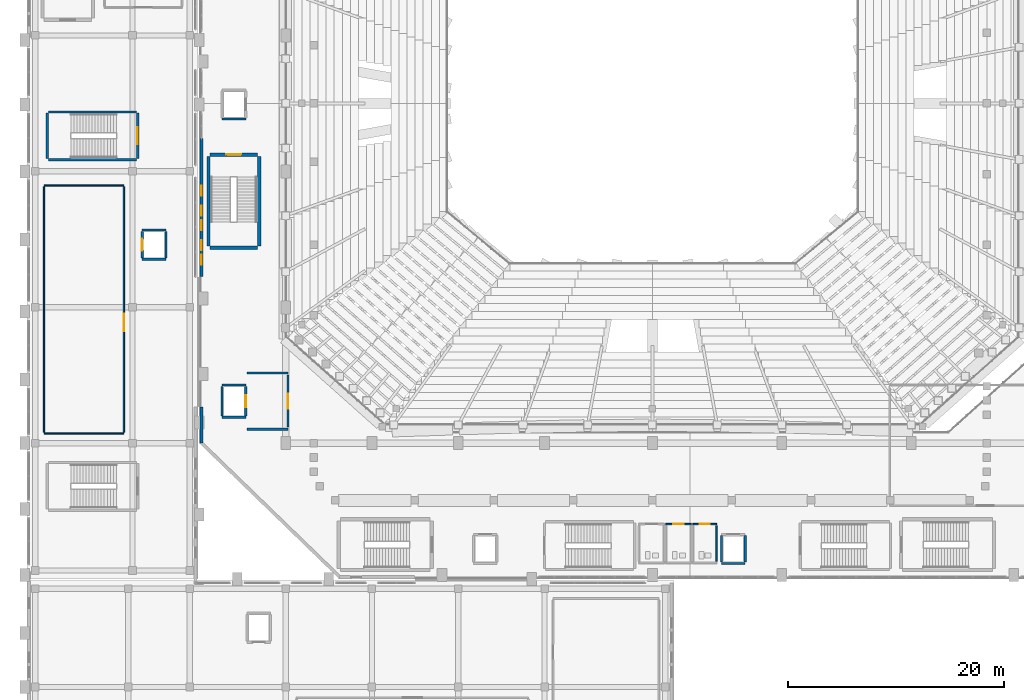
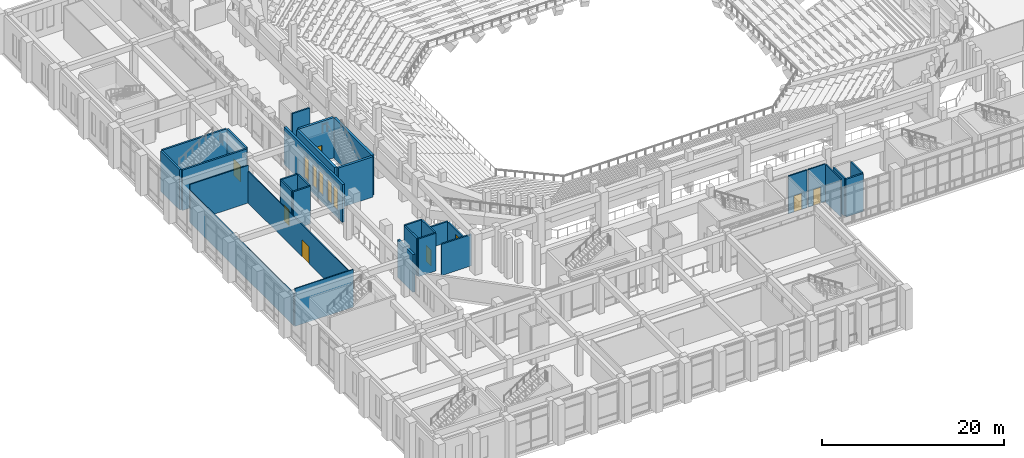
# One storey, part 126 of 159: 32 walls, 8 doors, 5 windows, 13 openings.
"""IFC4 building model written with IfcOpenShell, lengths in metres."""

from ifc_helpers import new_model, si_unit, derived_unit, direction, frame, frame_2d, origin, place, context, subcontext, project, spatial, rectangle, extrude, material, layer, layer_set, type_object, element, fill, save


model = new_model("IFC4")

# Units and contexts
model_context = context("Model", 3, precision=1e-05, world=origin(), true_north=direction((0.0, 1.0)))
body_context = subcontext(model_context, "Body", "Model", "MODEL_VIEW")
ifc_project = project(units=[si_unit("LENGTHUNIT", "METRE"), si_unit("AREAUNIT", "SQUARE_METRE"), si_unit("VOLUMEUNIT", "CUBIC_METRE"), si_unit("PLANEANGLEUNIT", "RADIAN"), si_unit("MASSUNIT", "GRAM", prefix="KILO"), derived_unit("THERMALTRANSMITTANCEUNIT", [(si_unit("MASSUNIT", "GRAM", prefix="KILO"), 1), (si_unit("TIMEUNIT", "SECOND"), -3), (si_unit("THERMODYNAMICTEMPERATUREUNIT", "KELVIN"), -1)])], contexts=[model_context])

# Site, building, storey
site_placement = place(None, origin())
site = spatial("IfcSite", under=ifc_project, at=site_placement, CompositionType="ELEMENT")
building_placement = place(site_placement, origin())
building = spatial("IfcBuilding", under=site, at=building_placement, Name="Valcora Ridge Arena", CompositionType="ELEMENT")
storey_placement = place(building_placement, frame((0.0, 0.0, 6.0)))
storey = spatial("IfcBuildingStorey", under=building, at=storey_placement, Name="L01", CompositionType="ELEMENT", Elevation=6.0)

# Wall
ifc_material_1 = material(Name="Bush-hammered Andean travertine on concrete backup C40/50", Category="masonry")
ifc_layer_1 = layer(ifc_material_1, 0.280029296875, Name="Bush-hammered Andean travertine on concrete backup C40/50")
ifc_layer_set_1 = layer_set([ifc_layer_1], Name="Bush-hammered Andean travertine on concrete backup C40/50")
wall_type_1 = type_object("IfcWallType", Name="TY-WALL-EW-TRV-28-50", PredefinedType="STANDARD", material=ifc_layer_set_1)
wall_1_placement = place(storey_placement, frame((16.199951171875, 32.60009765625, 0.0), z_axis=(0.0, 0.0, 1.0), x_axis=(0.0, 1.0, 0.0)))
element("IfcWall", 1, at=wall_1_placement, inside=storey, type_object=wall_type_1, Name="EW-TRV-28-50 WAL-EW-0038", PredefinedType="STANDARD", context=body_context, shape_type="SweptSolid", body=[
    extrude(rectangle(XDim=3.349853515625, YDim=0.280029296875, at=frame_2d((1.6748046875, 0.0))), origin(), (0.0, 0.0, 1.0), 5.0400390625),
])

# Wall, openings, windows
wall_2_placement = place(storey_placement, frame((16.199951171875, 48.050048828125, 0.0), z_axis=(0.0, 0.0, 1.0), x_axis=(0.0, 1.0, 0.0)))
wall_2 = element("IfcWall", 2, at=wall_2_placement, inside=storey, type_object=wall_type_1, Name="EW-TRV-28-50 WAL-EW-0039", PredefinedType="STANDARD", context=body_context, shape_type="SweptSolid", body=[
    extrude(rectangle(XDim=12.800048828125, YDim=0.280029296875, at=frame_2d((6.39990234375, 0.0))), origin(), (0.0, 0.0, 1.0), 5.0400390625),
])
opening_1_placement = place(wall_2_placement, frame((1.10009765625, 0.0, 0.949951171875)))
opening_1 = element("IfcOpeningElement", 3, at=opening_1_placement, cuts=wall_2, Name="Opening W-GLAN-90X285", PredefinedType="OPENING", context=body_context, shape_type="SweptSolid", body=[
    extrude(rectangle(XDim=0.89990234375, YDim=2.85009765625, at=frame_2d((0.449951171875, 1.425048828125))), frame((0.0, 0.14990234375, 0.0), z_axis=(0.0, -1.0, 0.0), x_axis=(1.0, 0.0, 0.0)), (0.0, 0.0, 1.0), 0.300048828125),
])
opening_2_placement = place(wall_2_placement, frame((2.449951171875, 0.0, 0.949951171875)))
opening_2 = element("IfcOpeningElement", 4, at=opening_2_placement, cuts=wall_2, Name="Opening W-GLAN-90X285", PredefinedType="OPENING", context=body_context, shape_type="SweptSolid", body=[
    extrude(rectangle(XDim=0.89990234375, YDim=2.85009765625, at=frame_2d((0.449951171875, 1.425048828125))), frame((0.0, 0.14990234375, 0.0), z_axis=(0.0, -1.0, 0.0), x_axis=(1.0, 0.0, 0.0)), (0.0, 0.0, 1.0), 0.300048828125),
])
opening_3_placement = place(wall_2_placement, frame((4.300048828125, 0.0, 0.949951171875)))
opening_3 = element("IfcOpeningElement", 5, at=opening_3_placement, cuts=wall_2, Name="Opening W-GLAN-90X285", PredefinedType="OPENING", context=body_context, shape_type="SweptSolid", body=[
    extrude(rectangle(XDim=0.89990234375, YDim=2.85009765625, at=frame_2d((0.449951171875, 1.425048828125))), frame((0.0, 0.14990234375, 0.0), z_axis=(0.0, -1.0, 0.0), x_axis=(1.0, 0.0, 0.0)), (0.0, 0.0, 1.0), 0.300048828125),
])
opening_4_placement = place(wall_2_placement, frame((5.64990234375, 0.0, 0.949951171875)))
opening_4 = element("IfcOpeningElement", 6, at=opening_4_placement, cuts=wall_2, Name="Opening W-GLAN-90X285", PredefinedType="OPENING", context=body_context, shape_type="SweptSolid", body=[
    extrude(rectangle(XDim=0.89990234375, YDim=2.85009765625, at=frame_2d((0.449951171875, 1.425048828125))), frame((0.0, 0.14990234375, 0.0), z_axis=(0.0, -1.0, 0.0), x_axis=(1.0, 0.0, 0.0)), (0.0, 0.0, 1.0), 0.300048828125),
])
opening_5_placement = place(wall_2_placement, frame((7.5, 0.0, 0.949951171875)))
opening_5 = element("IfcOpeningElement", 7, at=opening_5_placement, cuts=wall_2, Name="Opening W-GLAN-90X285", PredefinedType="OPENING", context=body_context, shape_type="SweptSolid", body=[
    extrude(rectangle(XDim=0.89990234375, YDim=2.85009765625, at=frame_2d((0.449951171875, 1.425048828125))), frame((0.0, 0.14990234375, 0.0), z_axis=(0.0, -1.0, 0.0), x_axis=(1.0, 0.0, 0.0)), (0.0, 0.0, 1.0), 0.300048828125),
])
ifc_material_2 = material(Name="Low-iron solar-control double glazing SHGC 0.28", Category="glass")
window_type = type_object("IfcWindowType", Name="TY-WINDOW-W-GLAN-90X285", PartitioningType="DOUBLE_PANEL_VERTICAL", PredefinedType="WINDOW", material=ifc_material_2)
window_1_placement = place(opening_1_placement, origin())
window_1 = element("IfcWindow", 8, at=window_1_placement, inside=storey, type_object=window_type, Name="W-GLAN-90X285 WIN-EX-0083", OverallHeight=2.85009765625, OverallWidth=0.89990234375, PartitioningType="DOUBLE_PANEL_VERTICAL", PredefinedType="WINDOW", context=body_context, shape_type="SweptSolid", body=[
    extrude(rectangle(XDim=0.89990234375, YDim=2.85009765625, at=frame_2d((0.449951171875, 1.425048828125))), frame((0.0, 0.030029296875, 0.0), z_axis=(0.0, -1.0, 0.0), x_axis=(1.0, 0.0, 0.0)), (0.0, 0.0, 1.0), 0.06005859375),
])
fill(opening_1, window_1)
window_2_placement = place(opening_2_placement, origin())
window_2 = element("IfcWindow", 9, at=window_2_placement, inside=storey, type_object=window_type, Name="W-GLAN-90X285 WIN-EX-0084", OverallHeight=2.85009765625, OverallWidth=0.89990234375, PartitioningType="DOUBLE_PANEL_VERTICAL", PredefinedType="WINDOW", context=body_context, shape_type="SweptSolid", body=[
    extrude(rectangle(XDim=0.89990234375, YDim=2.85009765625, at=frame_2d((0.449951171875, 1.425048828125))), frame((0.0, 0.030029296875, 0.0), z_axis=(0.0, -1.0, 0.0), x_axis=(1.0, 0.0, 0.0)), (0.0, 0.0, 1.0), 0.06005859375),
])
fill(opening_2, window_2)
window_3_placement = place(opening_3_placement, origin())
window_3 = element("IfcWindow", 10, at=window_3_placement, inside=storey, type_object=window_type, Name="W-GLAN-90X285 WIN-EX-0085", OverallHeight=2.85009765625, OverallWidth=0.89990234375, PartitioningType="DOUBLE_PANEL_VERTICAL", PredefinedType="WINDOW", context=body_context, shape_type="SweptSolid", body=[
    extrude(rectangle(XDim=0.89990234375, YDim=2.85009765625, at=frame_2d((0.449951171875, 1.425048828125))), frame((0.0, 0.030029296875, 0.0), z_axis=(0.0, -1.0, 0.0), x_axis=(1.0, 0.0, 0.0)), (0.0, 0.0, 1.0), 0.06005859375),
])
fill(opening_3, window_3)
window_4_placement = place(opening_4_placement, origin())
window_4 = element("IfcWindow", 11, at=window_4_placement, inside=storey, type_object=window_type, Name="W-GLAN-90X285 WIN-EX-0086", OverallHeight=2.85009765625, OverallWidth=0.89990234375, PartitioningType="DOUBLE_PANEL_VERTICAL", PredefinedType="WINDOW", context=body_context, shape_type="SweptSolid", body=[
    extrude(rectangle(XDim=0.89990234375, YDim=2.85009765625, at=frame_2d((0.449951171875, 1.425048828125))), frame((0.0, 0.030029296875, 0.0), z_axis=(0.0, -1.0, 0.0), x_axis=(1.0, 0.0, 0.0)), (0.0, 0.0, 1.0), 0.06005859375),
])
fill(opening_4, window_4)
window_5_placement = place(opening_5_placement, origin())
window_5 = element("IfcWindow", 12, at=window_5_placement, inside=storey, type_object=window_type, Name="W-GLAN-90X285 WIN-EX-0087", OverallHeight=2.85009765625, OverallWidth=0.89990234375, PartitioningType="DOUBLE_PANEL_VERTICAL", PredefinedType="WINDOW", context=body_context, shape_type="SweptSolid", body=[
    extrude(rectangle(XDim=0.89990234375, YDim=2.85009765625, at=frame_2d((0.449951171875, 1.425048828125))), frame((0.0, 0.030029296875, 0.0), z_axis=(0.0, -1.0, 0.0), x_axis=(1.0, 0.0, 0.0)), (0.0, 0.0, 1.0), 0.06005859375),
])
fill(opening_5, window_5)

# Wall, opening, door
ifc_material_3 = material(Name="Fire-rated masonry-core compartment wall C35/45 150 mm", Category="masonry")
ifc_layer_2 = layer(ifc_material_3, 0.14990234375, Name="Fire-rated masonry-core compartment wall C35/45 150 mm")
ifc_layer_set_2 = layer_set([ifc_layer_2], Name="Fire-rated masonry-core compartment wall C35/45 150 mm")
wall_type_2 = type_object("IfcWallType", Name="TY-WALL-IW-COMP-150", PredefinedType="STANDARD", material=ifc_layer_set_2)
wall_3_placement = place(storey_placement, frame((59.25, 25.10009765625, 0.0), z_axis=(0.0, 0.0, 1.0), x_axis=(1.0, 0.0, 0.0)))
wall_3 = element("IfcWall", 13, at=wall_3_placement, inside=storey, type_object=wall_type_2, Name="IW-COMP-150 WAL-IN-0088", PredefinedType="STANDARD", context=body_context, shape_type="SweptSolid", body=[
    extrude(rectangle(XDim=2.35009765625, YDim=0.14990234375, at=frame_2d((1.175048828125, 0.0))), origin(), (0.0, 0.0, 1.0), 5.0400390625),
])
opening_6_placement = place(wall_3_placement, frame((0.675048828125, 0.0, 0.0)))
opening_6 = element("IfcOpeningElement", 14, at=opening_6_placement, cuts=wall_3, Name="Opening D-WC-1000", PredefinedType="OPENING", context=body_context, shape_type="SweptSolid", body=[
    extrude(rectangle(XDim=1.0, YDim=2.14990234375, at=frame_2d((0.5, 1.074951171875))), frame((0.0, 0.0849609375, 0.0), z_axis=(0.0, -1.0, 0.0), x_axis=(1.0, 0.0, 0.0)), (0.0, 0.0, 1.0), 0.169921875),
])
ifc_material_4 = material(Name="Insulated fire-rated steel door leaf", Category="steel")
door_type_1 = type_object("IfcDoorType", Name="TY-DOOR-D-WC-1000", OperationType="NOTDEFINED", PredefinedType="DOOR", material=ifc_material_4)
door_1_placement = place(opening_6_placement, origin())
door_1 = element("IfcDoor", 15, at=door_1_placement, inside=storey, type_object=door_type_1, Name="D-WC-1000 DOR-IN-0026", OperationType="SINGLE_SWING_RIGHT", OverallHeight=2.14990234375, OverallWidth=1.0, PredefinedType="DOOR", context=body_context, shape_type="SweptSolid", body=[
    extrude(rectangle(XDim=1.0, YDim=2.14990234375, at=frame_2d((0.5, 1.074951171875))), frame((0.0, 0.02490234375, 0.0), z_axis=(0.0, -1.0, 0.0), x_axis=(1.0, 0.0, 0.0)), (0.0, 0.0, 1.0), 0.050048828125),
])
fill(opening_6, door_1)

wall_4_placement = place(storey_placement, frame((61.75, 25.10009765625, 0.0), z_axis=(0.0, 0.0, 1.0), x_axis=(1.0, 0.0, 0.0)))
wall_4 = element("IfcWall", 16, at=wall_4_placement, inside=storey, type_object=wall_type_2, Name="IW-COMP-150 WAL-IN-0092", PredefinedType="STANDARD", context=body_context, shape_type="SweptSolid", body=[
    extrude(rectangle(XDim=2.199951171875, YDim=0.14990234375, at=frame_2d((1.10009765625, 0.0))), origin(), (0.0, 0.0, 1.0), 5.0400390625),
])
opening_7_placement = place(wall_4_placement, frame((0.625, 0.0, 0.0)))
opening_7 = element("IfcOpeningElement", 17, at=opening_7_placement, cuts=wall_4, Name="Opening D-WC-950", PredefinedType="OPENING", context=body_context, shape_type="SweptSolid", body=[
    extrude(rectangle(XDim=0.949951171875, YDim=2.14990234375, at=frame_2d((0.47509765625, 1.074951171875))), frame((0.0, 0.0849609375, 0.0), z_axis=(0.0, -1.0, 0.0), x_axis=(1.0, 0.0, 0.0)), (0.0, 0.0, 1.0), 0.169921875),
])
door_type_2 = type_object("IfcDoorType", Name="TY-DOOR-D-WC-950", OperationType="NOTDEFINED", PredefinedType="DOOR", material=ifc_material_4)
door_2_placement = place(opening_7_placement, origin())
door_2 = element("IfcDoor", 18, at=door_2_placement, inside=storey, type_object=door_type_2, Name="D-WC-950 DOR-IN-0027", OperationType="SINGLE_SWING_LEFT", OverallHeight=2.14990234375, OverallWidth=0.949951171875, PredefinedType="DOOR", context=body_context, shape_type="SweptSolid", body=[
    extrude(rectangle(XDim=0.949951171875, YDim=2.14990234375, at=frame_2d((0.47509765625, 1.074951171875))), frame((0.0, 0.02490234375, 0.0), z_axis=(0.0, -1.0, 0.0), x_axis=(1.0, 0.0, 0.0)), (0.0, 0.0, 1.0), 0.050048828125),
])
fill(opening_7, door_2)

# Walls
wall_5_placement = place(storey_placement, frame((63.949951171875, 21.64990234375, 0.0), z_axis=(0.0, 0.0, 1.0), x_axis=(0.0, 1.0, 0.0)))
element("IfcWall", 19, at=wall_5_placement, inside=storey, type_object=wall_type_2, Name="IW-COMP-150 WAL-IN-0094", PredefinedType="STANDARD", context=body_context, shape_type="SweptSolid", body=[
    extrude(rectangle(XDim=3.300048828125, YDim=0.14990234375, at=frame_2d((1.64990234375, 0.0))), origin(), (0.0, 0.0, 1.0), 5.0400390625),
])
ifc_material_5 = material(Name="Fire-resisting reinforced concrete enclosure C40/50 200 mm", Category="concrete")
ifc_layer_3 = layer(ifc_material_5, 0.199951171875, Name="Fire-resisting reinforced concrete enclosure C40/50 200 mm")
ifc_layer_set_3 = layer_set([ifc_layer_3], Name="Fire-resisting reinforced concrete enclosure C40/50 200 mm")
wall_type_3 = type_object("IfcWallType", Name="TY-WALL-IW-FIRE-200", PredefinedType="STANDARD", material=ifc_layer_set_3)
wall_6_placement = place(storey_placement, frame((20.39990234375, 33.89990234375, 0.0), z_axis=(0.0, 0.0, 1.0), x_axis=(1.0, 0.0, 0.0)))
element("IfcWall", 20, at=wall_6_placement, inside=storey, type_object=wall_type_3, Name="IW-FIRE-200 WAL-IN-0007", PredefinedType="STANDARD", context=body_context, shape_type="SweptSolid", body=[
    extrude(rectangle(XDim=3.800048828125, YDim=0.199951171875, at=frame_2d((1.89990234375, 0.0))), origin(), (0.0, 0.0, 1.0), 4.18994140625),
])
wall_7_placement = place(storey_placement, frame((20.39990234375, 39.10009765625, 0.0), z_axis=(0.0, 0.0, 1.0), x_axis=(1.0, 0.0, 0.0)))
element("IfcWall", 21, at=wall_7_placement, inside=storey, type_object=wall_type_3, Name="IW-FIRE-200 WAL-IN-0008", PredefinedType="STANDARD", context=body_context, shape_type="SweptSolid", body=[
    extrude(rectangle(XDim=3.800048828125, YDim=0.199951171875, at=frame_2d((1.89990234375, 0.0))), origin(), (0.0, 0.0, 1.0), 2.77490234375),
])

# Wall, opening, door
wall_8_placement = place(storey_placement, frame((24.199951171875, 34.10009765625, 0.0), z_axis=(0.0, 0.0, 1.0), x_axis=(0.0, 1.0, 0.0)))
wall_8 = element("IfcWall", 22, at=wall_8_placement, inside=storey, type_object=wall_type_3, Name="IW-FIRE-200 WAL-IN-0009", PredefinedType="STANDARD", context=body_context, shape_type="SweptSolid", body=[
    extrude(rectangle(XDim=4.7998046875, YDim=0.199951171875, at=frame_2d((2.39990234375, 0.0))), origin(), (0.0, 0.0, 1.0), 2.77490234375),
])
opening_8_placement = place(wall_8_placement, frame((1.699951171875, 0.0, 0.0)))
opening_8 = element("IfcOpeningElement", 23, at=opening_8_placement, cuts=wall_8, Name="Opening FD-FFL-1400", PredefinedType="OPENING", context=body_context, shape_type="SweptSolid", body=[
    extrude(rectangle(XDim=1.39990234375, YDim=2.199951171875, at=frame_2d((0.699951171875, 1.10009765625))), frame((0.0, 0.10986328125, 0.0), z_axis=(0.0, -1.0, 0.0), x_axis=(1.0, 0.0, 0.0)), (0.0, 0.0, 1.0), 0.219970703125),
])
door_type_3 = type_object("IfcDoorType", Name="TY-DOOR-FD-FFL-1400", OperationType="NOTDEFINED", PredefinedType="DOOR", material=ifc_material_4)
door_3_placement = place(opening_8_placement, origin())
door_3 = element("IfcDoor", 24, at=door_3_placement, inside=storey, type_object=door_type_3, Name="FD-FFL-1400 DOR-IN-0003", OperationType="DOUBLE_DOOR_SINGLE_SWING", OverallHeight=2.199951171875, OverallWidth=1.39990234375, PredefinedType="DOOR", context=body_context, shape_type="SweptSolid", body=[
    extrude(rectangle(XDim=1.39990234375, YDim=2.199951171875, at=frame_2d((0.699951171875, 1.10009765625))), frame((0.0, 0.02490234375, 0.0), z_axis=(0.0, -1.0, 0.0), x_axis=(1.0, 0.0, 0.0)), (0.0, 0.0, 1.0), 0.050048828125),
])
fill(opening_8, door_3)

# Walls
ifc_material_6 = material(Name="Acoustic metal-stud gypsum partition 120 mm")
ifc_layer_4 = layer(ifc_material_6, 0.1201171875, Name="Acoustic metal-stud gypsum partition 120 mm")
ifc_layer_set_4 = layer_set([ifc_layer_4], Name="Acoustic metal-stud gypsum partition 120 mm")
wall_type_4 = type_object("IfcWallType", Name="TY-WALL-IW-PART-120", PredefinedType="PARTITIONING", material=ifc_layer_set_4)
for number, where, z_axis, x_axis, name in (
    (25, (1.60009765625, 33.5, 0.0), (0.0, 0.0, 1.0), (1.0, 0.0, 0.0), "IW-PART-120 WAL-IN-0325"),
    (26, (1.60009765625, 56.5, 0.0), (0.0, 0.0, 1.0), (1.0, 0.0, 0.0), "IW-PART-120 WAL-IN-0326"),
):
    element("IfcWall", number, at=place(storey_placement, frame(where, z_axis=z_axis, x_axis=x_axis)), inside=storey, type_object=wall_type_4, Name=name, PredefinedType="PARTITIONING", context=body_context, shape_type="SweptSolid", body=[
        extrude(rectangle(XDim=7.39990234375, YDim=0.1201171875, at=frame_2d((3.699951171875, 0.0))), origin(), (0.0, 0.0, 1.0), 5.0400390625),
    ])
wall_9_placement = place(storey_placement, frame((1.60009765625, 33.6201171875, 0.0), z_axis=(0.0, 0.0, 1.0), x_axis=(0.0, 1.0, 0.0)))
element("IfcWall", 27, at=wall_9_placement, inside=storey, type_object=wall_type_4, Name="IW-PART-120 WAL-IN-0327", PredefinedType="PARTITIONING", context=body_context, shape_type="SweptSolid", body=[
    extrude(rectangle(XDim=22.759765625, YDim=0.1201171875, at=frame_2d((11.3798828125, 0.0))), origin(), (0.0, 0.0, 1.0), 4.2900390625),
])

# Wall, opening, door
wall_10_placement = place(storey_placement, frame((9.0, 33.6201171875, 0.0), z_axis=(0.0, 0.0, 1.0), x_axis=(0.0, 1.0, 0.0)))
wall_10 = element("IfcWall", 28, at=wall_10_placement, inside=storey, type_object=wall_type_4, Name="IW-PART-120 WAL-IN-0328", PredefinedType="PARTITIONING", context=body_context, shape_type="SweptSolid", body=[
    extrude(rectangle(XDim=22.759765625, YDim=0.1201171875, at=frame_2d((11.3798828125, 0.0))), origin(), (0.0, 0.0, 1.0), 4.2900390625),
])
opening_9_placement = place(wall_10_placement, frame((9.3798828125, 0.0, 0.0)))
opening_9 = element("IfcOpeningElement", 29, at=opening_9_placement, cuts=wall_10, Name="Opening D-PUB-1600", PredefinedType="OPENING", context=body_context, shape_type="SweptSolid", body=[
    extrude(rectangle(XDim=1.60009765625, YDim=2.25, at=frame_2d((0.800048828125, 1.125))), frame((0.0, 0.070068359375, 0.0), z_axis=(0.0, -1.0, 0.0), x_axis=(1.0, 0.0, 0.0)), (0.0, 0.0, 1.0), 0.14013671875),
])
ifc_material_7 = material(Name="Solid-core acoustic timber veneer door leaf", Category="wood")
door_type_4 = type_object("IfcDoorType", Name="TY-DOOR-D-PUB-1600", OperationType="NOTDEFINED", PredefinedType="DOOR", material=ifc_material_7)
door_4_placement = place(opening_9_placement, origin())
door_4 = element("IfcDoor", 30, at=door_4_placement, inside=storey, type_object=door_type_4, Name="D-PUB-1600 DOR-IN-0086", OperationType="DOUBLE_DOOR_SINGLE_SWING", OverallHeight=2.25, OverallWidth=1.60009765625, PredefinedType="DOOR", context=body_context, shape_type="SweptSolid", body=[
    extrude(rectangle(XDim=1.60009765625, YDim=2.25, at=frame_2d((0.800048828125, 1.125))), frame((0.0, 0.02490234375, 0.0), z_axis=(0.0, -1.0, 0.0), x_axis=(1.0, 0.0, 0.0)), (0.0, 0.0, 1.0), 0.050048828125),
])
fill(opening_9, door_4)

# Walls
ifc_material_8 = material(Name="Concrete C40/50", Category="concrete")
ifc_layer_5 = layer(ifc_material_8, 0.199951171875, Name="Concrete C40/50")
ifc_layer_set_5 = layer_set([ifc_layer_5], Name="Concrete C40/50")
wall_type_5 = type_object("IfcWallType", Name="TY-WALL-IW-SHF-200", PredefinedType="STANDARD", material=ifc_layer_set_5)
for number, where, z_axis, x_axis, name in (
    (31, (18.10009765625, 35.0, 0.0), (0.0, 0.0, 1.0), (1.0, 0.0, 0.0), "IW-SHF-200 WAL-SH-0009"),
    (32, (18.10009765625, 38.0, 0.0), (0.0, 0.0, 1.0), (1.0, 0.0, 0.0), "IW-SHF-200 WAL-SH-0010"),
):
    element("IfcWall", number, at=place(storey_placement, frame(where, z_axis=z_axis, x_axis=x_axis)), inside=storey, type_object=wall_type_5, Name=name, PredefinedType="STANDARD", context=body_context, shape_type="SweptSolid", body=[
        extrude(rectangle(XDim=2.199951171875, YDim=0.199951171875, at=frame_2d((1.10009765625, 0.0))), origin(), (0.0, 0.0, 1.0), 5.0400390625),
    ])
wall_11_placement = place(storey_placement, frame((18.10009765625, 35.1201171875, 0.0), z_axis=(0.0, 0.0, 1.0), x_axis=(0.0, 1.0, 0.0)))
element("IfcWall", 33, at=wall_11_placement, inside=storey, type_object=wall_type_5, Name="IW-SHF-200 WAL-SH-0011", PredefinedType="STANDARD", context=body_context, shape_type="SweptSolid", body=[
    extrude(rectangle(XDim=2.759765625, YDim=0.199951171875, at=frame_2d((1.3798828125, 0.0))), origin(), (0.0, 0.0, 1.0), 5.0400390625),
])

# Wall, opening, door
wall_12_placement = place(storey_placement, frame((20.300048828125, 35.1201171875, 0.0), z_axis=(0.0, 0.0, 1.0), x_axis=(0.0, 1.0, 0.0)))
wall_12 = element("IfcWall", 34, at=wall_12_placement, inside=storey, type_object=wall_type_5, Name="IW-SHF-200 WAL-SH-0012", PredefinedType="STANDARD", context=body_context, shape_type="SweptSolid", body=[
    extrude(rectangle(XDim=2.759765625, YDim=0.199951171875, at=frame_2d((1.3798828125, 0.0))), origin(), (0.0, 0.0, 1.0), 5.0400390625),
])
opening_10_placement = place(wall_12_placement, frame((0.830078125, 0.0, 0.0)))
opening_10 = element("IfcOpeningElement", 35, at=opening_10_placement, cuts=wall_12, Name="Opening LD-FF", PredefinedType="OPENING", context=body_context, shape_type="SweptSolid", body=[
    extrude(rectangle(XDim=1.10009765625, YDim=2.14990234375, at=frame_2d((0.550048828125, 1.074951171875))), frame((0.0, 0.10986328125, 0.0), z_axis=(0.0, -1.0, 0.0), x_axis=(1.0, 0.0, 0.0)), (0.0, 0.0, 1.0), 0.219970703125),
])
ifc_material_9 = material(Name="Insulated fire-rated hollow metal steel", Category="steel")
door_type_5 = type_object("IfcDoorType", Name="TY-DOOR-LD-FF", OperationType="NOTDEFINED", PredefinedType="DOOR", material=ifc_material_9)
door_5_placement = place(opening_10_placement, origin())
door_5 = element("IfcDoor", 36, at=door_5_placement, inside=storey, type_object=door_type_5, Name="FFL1 Landing Door L01", OperationType="SLIDING_TO_LEFT", OverallHeight=2.14990234375, OverallWidth=1.10009765625, PredefinedType="DOOR", context=body_context, shape_type="SweptSolid", body=[
    extrude(rectangle(XDim=1.10009765625, YDim=2.14990234375, at=frame_2d((0.550048828125, 1.074951171875))), frame((0.0, 0.02490234375, 0.0), z_axis=(0.0, -1.0, 0.0), x_axis=(1.0, 0.0, 0.0)), (0.0, 0.0, 1.0), 0.050048828125),
])
fill(opening_10, door_5)

# Walls
wall_13_placement = place(storey_placement, frame((64.39990234375, 21.449951171875, 0.0), z_axis=(0.0, 0.0, 1.0), x_axis=(1.0, 0.0, 0.0)))
element("IfcWall", 37, at=wall_13_placement, inside=storey, type_object=wall_type_5, Name="IW-SHF-200 WAL-SH-0089", PredefinedType="STANDARD", context=body_context, shape_type="SweptSolid", body=[
    extrude(rectangle(XDim=2.2001953125, YDim=0.199951171875, at=frame_2d((1.10009765625, 0.0))), origin(), (0.0, 0.0, 1.0), 5.0400390625),
])
for number, where, z_axis, x_axis, name in (
    (38, (64.39990234375, 21.570068359375, 0.0), (0.0, 0.0, 1.0), (0.0, 1.0, 0.0), "IW-SHF-200 WAL-SH-0091"),
    (39, (66.60009765625, 21.570068359375, 0.0), (0.0, 0.0, 1.0), (0.0, 1.0, 0.0), "IW-SHF-200 WAL-SH-0092"),
):
    element("IfcWall", number, at=place(storey_placement, frame(where, z_axis=z_axis, x_axis=x_axis)), inside=storey, type_object=wall_type_5, Name=name, PredefinedType="STANDARD", context=body_context, shape_type="SweptSolid", body=[
        extrude(rectangle(XDim=2.4599609375, YDim=0.199951171875, at=frame_2d((1.22998046875, 0.0))), origin(), (0.0, 0.0, 1.0), 5.0400390625),
    ])
for number, where, z_axis, x_axis, name in (
    (40, (10.699951171875, 49.64990234375, 0.0), (0.0, 0.0, 1.0), (1.0, 0.0, 0.0), "IW-SHF-200 WAL-SH-0197"),
    (41, (10.699951171875, 52.35009765625, 0.0), (0.0, 0.0, 1.0), (1.0, 0.0, 0.0), "IW-SHF-200 WAL-SH-0198"),
):
    element("IfcWall", number, at=place(storey_placement, frame(where, z_axis=z_axis, x_axis=x_axis)), inside=storey, type_object=wall_type_5, Name=name, PredefinedType="STANDARD", context=body_context, shape_type="SweptSolid", body=[
        extrude(rectangle(XDim=2.199951171875, YDim=0.199951171875, at=frame_2d((1.10009765625, 0.0))), origin(), (0.0, 0.0, 1.0), 5.0400390625),
    ])

# Wall, opening, door
wall_14_placement = place(storey_placement, frame((10.699951171875, 49.77001953125, 0.0), z_axis=(0.0, 0.0, 1.0), x_axis=(0.0, 1.0, 0.0)))
wall_14 = element("IfcWall", 42, at=wall_14_placement, inside=storey, type_object=wall_type_5, Name="IW-SHF-200 WAL-SH-0199", PredefinedType="STANDARD", context=body_context, shape_type="SweptSolid", body=[
    extrude(rectangle(XDim=2.4599609375, YDim=0.199951171875, at=frame_2d((1.22998046875, 0.0))), origin(), (0.0, 0.0, 1.0), 5.0400390625),
])
opening_11_placement = place(wall_14_placement, frame((0.679931640625, 0.0, 0.0)))
opening_11 = element("IfcOpeningElement", 43, at=opening_11_placement, cuts=wall_14, Name="Opening LD-PAX", PredefinedType="OPENING", context=body_context, shape_type="SweptSolid", body=[
    extrude(rectangle(XDim=1.10009765625, YDim=2.14990234375, at=frame_2d((0.550048828125, 1.074951171875))), frame((0.0, 0.10986328125, 0.0), z_axis=(0.0, -1.0, 0.0), x_axis=(1.0, 0.0, 0.0)), (0.0, 0.0, 1.0), 0.219970703125),
])
door_type_6 = type_object("IfcDoorType", Name="TY-DOOR-LD-PAX", OperationType="NOTDEFINED", PredefinedType="DOOR", material=ifc_material_9)
door_6_placement = place(opening_11_placement, origin())
door_6 = element("IfcDoor", 44, at=door_6_placement, inside=storey, type_object=door_type_6, Name="CL2 Landing Door L01", OperationType="SLIDING_TO_LEFT", OverallHeight=2.14990234375, OverallWidth=1.10009765625, PredefinedType="DOOR", context=body_context, shape_type="SweptSolid", body=[
    extrude(rectangle(XDim=1.10009765625, YDim=2.14990234375, at=frame_2d((0.550048828125, 1.074951171875))), frame((0.0, 0.02490234375, 0.0), z_axis=(0.0, -1.0, 0.0), x_axis=(1.0, 0.0, 0.0)), (0.0, 0.0, 1.0), 0.050048828125),
])
fill(opening_11, door_6)

# Walls
wall_15_placement = place(storey_placement, frame((12.89990234375, 49.77001953125, 0.0), z_axis=(0.0, 0.0, 1.0), x_axis=(0.0, 1.0, 0.0)))
element("IfcWall", 45, at=wall_15_placement, inside=storey, type_object=wall_type_5, Name="IW-SHF-200 WAL-SH-0200", PredefinedType="STANDARD", context=body_context, shape_type="SweptSolid", body=[
    extrude(rectangle(XDim=2.4599609375, YDim=0.199951171875, at=frame_2d((1.22998046875, 0.0))), origin(), (0.0, 0.0, 1.0), 5.0400390625),
])
wall_16_placement = place(storey_placement, frame((18.10009765625, 62.64990234375, 0.0), z_axis=(0.0, 0.0, 1.0), x_axis=(1.0, 0.0, 0.0)))
element("IfcWall", 46, at=wall_16_placement, inside=storey, type_object=wall_type_5, Name="IW-SHF-200 WAL-SH-0213", PredefinedType="STANDARD", context=body_context, shape_type="SweptSolid", body=[
    extrude(rectangle(XDim=2.199951171875, YDim=0.199951171875, at=frame_2d((1.10009765625, 0.0))), origin(), (0.0, 0.0, 1.0), 5.0400390625),
])
ifc_material_10 = material(Name="Concrete C45/55", Category="concrete")
ifc_layer_6 = layer(ifc_material_10, 0.300048828125, Name="Concrete C45/55")
ifc_layer_set_6 = layer_set([ifc_layer_6], Name="Concrete C45/55")
wall_type_6 = type_object("IfcWallType", Name="TY-WALL-SW-C300-L", PredefinedType="SHEAR", material=ifc_layer_set_6)
for number, where, z_axis, x_axis, name in (
    (47, (16.85009765625, 50.8798828125, 0.0), (0.0, 0.0, 1.0), (0.0, 1.0, 0.0), "SW-C300-L WAL-CR-0115"),
    (48, (21.550048828125, 50.8798828125, 0.0), (0.0, 0.0, 1.0), (0.0, 1.0, 0.0), "SW-C300-L WAL-CR-0116"),
):
    element("IfcWall", number, at=place(storey_placement, frame(where, z_axis=z_axis, x_axis=x_axis)), inside=storey, type_object=wall_type_6, Name=name, PredefinedType="SHEAR", context=body_context, shape_type="SweptSolid", body=[
        extrude(rectangle(XDim=8.320068359375, YDim=0.300048828125, at=frame_2d((4.16015625, 0.0))), origin(), (0.0, 0.0, 1.0), 5.39990234375),
    ])
ifc_layer_7 = layer(ifc_material_10, 0.300048828125, Name="Concrete C45/55")
ifc_layer_set_7 = layer_set([ifc_layer_7], Name="Concrete C45/55")
wall_type_7 = type_object("IfcWallType", Name="TY-WALL-SW-C300-S", PredefinedType="SHEAR", material=ifc_layer_set_7)
wall_17_placement = place(storey_placement, frame((17.0, 50.72998046875, 0.0), z_axis=(0.0, 0.0, 1.0), x_axis=(1.0, 0.0, 0.0)))
element("IfcWall", 49, at=wall_17_placement, inside=storey, type_object=wall_type_7, Name="SW-C300-S WAL-CR-0113", PredefinedType="SHEAR", context=body_context, shape_type="SweptSolid", body=[
    extrude(rectangle(XDim=4.39990234375, YDim=0.300048828125, at=frame_2d((2.199951171875, 0.0))), origin(), (0.0, 0.0, 1.0), 5.39990234375),
])

# Wall, opening, door
wall_18_placement = place(storey_placement, frame((17.0, 59.35009765625, 0.0), z_axis=(0.0, 0.0, 1.0), x_axis=(1.0, 0.0, 0.0)))
wall_18 = element("IfcWall", 50, at=wall_18_placement, inside=storey, type_object=wall_type_7, Name="SW-C300-S WAL-CR-0114", PredefinedType="SHEAR", context=body_context, shape_type="SweptSolid", body=[
    extrude(rectangle(XDim=4.39990234375, YDim=0.300048828125, at=frame_2d((2.199951171875, 0.0))), origin(), (0.0, 0.0, 1.0), 5.39990234375),
])
opening_12_placement = place(wall_18_placement, frame((1.5, 0.0, 0.0)))
opening_12 = element("IfcOpeningElement", 51, at=opening_12_placement, cuts=wall_18, Name="Opening FD-01", PredefinedType="OPENING", context=body_context, shape_type="SweptSolid", body=[
    extrude(rectangle(XDim=1.39990234375, YDim=2.199951171875, at=frame_2d((0.699951171875, 1.10009765625))), frame((0.0, 0.159912109375, 0.0), z_axis=(0.0, -1.0, 0.0), x_axis=(1.0, 0.0, 0.0)), (0.0, 0.0, 1.0), 0.320068359375),
])
door_type_7 = type_object("IfcDoorType", Name="TY-DOOR-FD-01", OperationType="NOTDEFINED", PredefinedType="DOOR", material=ifc_material_4)
door_7_placement = place(opening_12_placement, origin())
door_7 = element("IfcDoor", 52, at=door_7_placement, inside=storey, type_object=door_type_7, Name="FD-01 DOR-ST-0029", OperationType="DOUBLE_DOOR_SINGLE_SWING", OverallHeight=2.199951171875, OverallWidth=1.39990234375, PredefinedType="DOOR", context=body_context, shape_type="SweptSolid", body=[
    extrude(rectangle(XDim=1.39990234375, YDim=2.199951171875, at=frame_2d((0.699951171875, 1.10009765625))), frame((0.0, 0.02490234375, 0.0), z_axis=(0.0, -1.0, 0.0), x_axis=(1.0, 0.0, 0.0)), (0.0, 0.0, 1.0), 0.050048828125),
])
fill(opening_12, door_7)

# Walls
ifc_layer_8 = layer(ifc_material_5, 0.219970703125, Name="Fire-resisting reinforced concrete enclosure C40/50 200 mm")
ifc_layer_set_8 = layer_set([ifc_layer_8], Name="Fire-resisting reinforced concrete enclosure C40/50 200 mm")
wall_type_8 = type_object("IfcWallType", Name="TY-WALL-SW-ES-220", PredefinedType="SHEAR", material=ifc_layer_set_8)
for number, where, z_axis, x_axis, name in (
    (53, (2.0, 58.889892578125, 0.0), (0.0, 0.0, 1.0), (1.0, 0.0, 0.0), "SW-ES-220 WAL-ES-0153"),
    (54, (2.0, 63.31005859375, 0.0), (0.0, 0.0, 1.0), (1.0, 0.0, 0.0), "SW-ES-220 WAL-ES-0154"),
):
    element("IfcWall", number, at=place(storey_placement, frame(where, z_axis=z_axis, x_axis=x_axis)), inside=storey, type_object=wall_type_8, Name=name, PredefinedType="SHEAR", context=body_context, shape_type="SweptSolid", body=[
        extrude(rectangle(XDim=8.159912109375, YDim=0.219970703125, at=frame_2d((4.080078125, 0.0))), origin(), (0.0, 0.0, 1.0), 5.39990234375),
    ])
wall_19_placement = place(storey_placement, frame((1.889892578125, 59.0, 0.0), z_axis=(0.0, 0.0, 1.0), x_axis=(0.0, 1.0, 0.0)))
element("IfcWall", 55, at=wall_19_placement, inside=storey, type_object=wall_type_8, Name="SW-ES-220 WAL-ES-0155", PredefinedType="SHEAR", context=body_context, shape_type="SweptSolid", body=[
    extrude(rectangle(XDim=4.199951171875, YDim=0.219970703125, at=frame_2d((2.10009765625, 0.0))), origin(), (0.0, 0.0, 1.0), 5.39990234375),
])

# Wall, opening, door
wall_20_placement = place(storey_placement, frame((10.27001953125, 59.0, 0.0), z_axis=(0.0, 0.0, 1.0), x_axis=(0.0, 1.0, 0.0)))
wall_20 = element("IfcWall", 56, at=wall_20_placement, inside=storey, type_object=wall_type_8, Name="SW-ES-220 WAL-ES-0156", PredefinedType="SHEAR", context=body_context, shape_type="SweptSolid", body=[
    extrude(rectangle(XDim=4.199951171875, YDim=0.219970703125, at=frame_2d((2.10009765625, 0.0))), origin(), (0.0, 0.0, 1.0), 5.39990234375),
])
opening_13_placement = place(wall_20_placement, frame((1.300048828125, 0.0, 0.0)))
opening_13 = element("IfcOpeningElement", 57, at=opening_13_placement, cuts=wall_20, Name="Opening FD-02", PredefinedType="OPENING", context=body_context, shape_type="SweptSolid", body=[
    extrude(rectangle(XDim=1.60009765625, YDim=2.199951171875, at=frame_2d((0.800048828125, 1.10009765625))), frame((0.0, 0.119873046875, 0.0), z_axis=(0.0, -1.0, 0.0), x_axis=(1.0, 0.0, 0.0)), (0.0, 0.0, 1.0), 0.239990234375),
])
door_type_8 = type_object("IfcDoorType", Name="TY-DOOR-FD-02", OperationType="NOTDEFINED", PredefinedType="DOOR", material=ifc_material_4)
door_8_placement = place(opening_13_placement, origin())
door_8 = element("IfcDoor", 58, at=door_8_placement, inside=storey, type_object=door_type_8, Name="FD-02 DOR-ES-0035", OperationType="DOUBLE_DOOR_SINGLE_SWING", OverallHeight=2.199951171875, OverallWidth=1.60009765625, PredefinedType="DOOR", context=body_context, shape_type="SweptSolid", body=[
    extrude(rectangle(XDim=1.60009765625, YDim=2.199951171875, at=frame_2d((0.800048828125, 1.10009765625))), frame((0.0, 0.02490234375, 0.0), z_axis=(0.0, -1.0, 0.0), x_axis=(1.0, 0.0, 0.0)), (0.0, 0.0, 1.0), 0.050048828125),
])
fill(opening_13, door_8)

save(model, "model.ifc")
